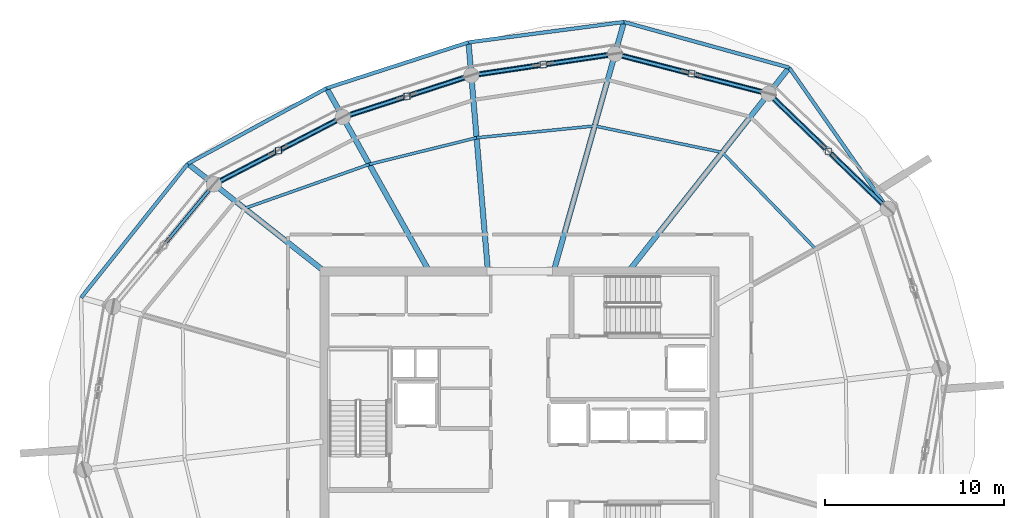
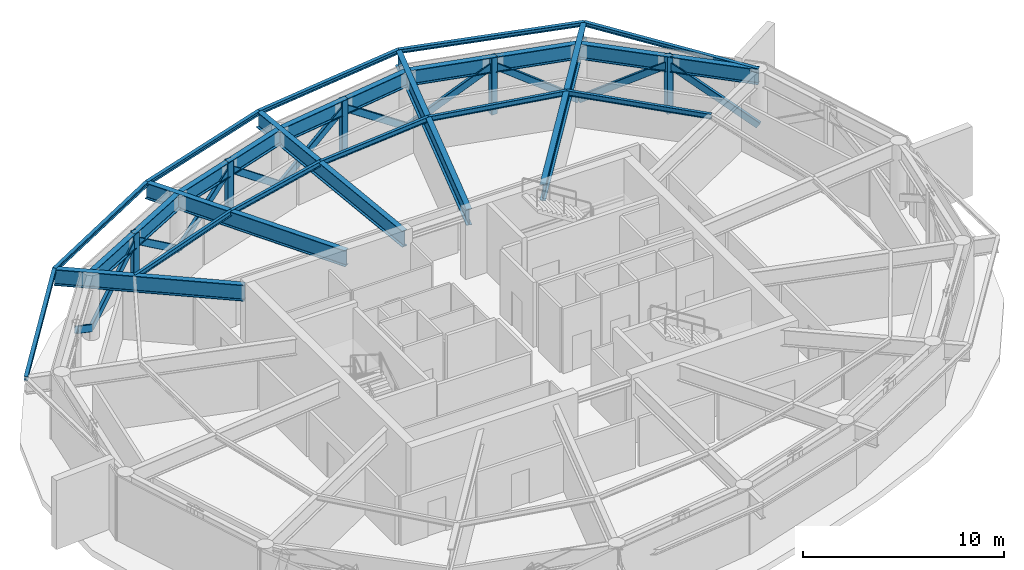
# One storey, part 7 of 14: 21 beams, 16 members.
"""IFC4 building model written with IfcOpenShell, lengths in metres."""

from ifc_helpers import new_model, si_unit, direction, frame, origin, origin_2d, place, context, subcontext, project, spatial, hollow_rectangle, i_section, extrude, material, material_profile, profile_set, type_object, element, save


model = new_model("IFC4")

# Units and contexts
model_context = context("Model", 3, precision=1e-05, world=origin(), true_north=direction((0.0, 1.0)))
body_context = subcontext(model_context, "Body", "Model", "MODEL_VIEW")
ifc_project = project(units=[si_unit("LENGTHUNIT", "METRE"), si_unit("AREAUNIT", "SQUARE_METRE"), si_unit("VOLUMEUNIT", "CUBIC_METRE"), si_unit("PLANEANGLEUNIT", "RADIAN"), si_unit("MASSUNIT", "GRAM", prefix="KILO")], contexts=[model_context])

# Site, building, storey
site_placement = place(None, origin())
site = spatial("IfcSite", under=ifc_project, at=site_placement, CompositionType="ELEMENT")
building_placement = place(site_placement, origin())
building = spatial("IfcBuilding", under=site, at=building_placement, Name="Kazma Halo Residences", CompositionType="ELEMENT")
storey_placement = place(building_placement, frame((0.0, 0.0, 343.10009765625)))
storey = spatial("IfcBuildingStorey", under=building, at=storey_placement, Name="L86", CompositionType="ELEMENT", Elevation=343.10009765625)

# Beams
ifc_material = material(Name="Steel S355", Category="steel")
ifc_material_profile_1 = material_profile(ifc_material, i_section(OverallWidth=0.201904296875, OverallDepth=0.2470703125, WebThickness=0.00732421875, FlangeThickness=0.010986328125, FilletRadius=0.011962890625, at=origin_2d()), Name="W250x49.1")
ifc_profile_set_1 = profile_set([ifc_material_profile_1], Name="Steel S355")
beam_type_1 = type_object("IfcBeamType", Name="BM-BAL-CANT", PredefinedType="BEAM", material=ifc_profile_set_1)
beam_1_placement = place(storey_placement, frame((68.96337890625, 53.739990234375, 3.81640625), z_axis=(-0.572873629847, 0.819643705659, 0.0), x_axis=(-0.819643705659, -0.572873629847, 0.0)))
element("IfcBeam", 1, at=beam_1_placement, inside=storey, type_object=beam_type_1, Name="L86 wave-balcony lead tie beam 01", PredefinedType="BEAM", context=body_context, shape_type="SweptSolid", body=[
    extrude(i_section(OverallWidth=0.201904296875, OverallDepth=0.2470703125, WebThickness=0.00732421875, FlangeThickness=0.010986328125, FilletRadius=0.011962890625, at=origin_2d()), origin(), (0.0, 0.0, 1.0), 9.6044921875),
])
beam_2_placement = place(storey_placement, frame((63.461181640625, 61.6123046875, 3.81640625), z_axis=(-0.96390336926, 0.266252314035, 0.0), x_axis=(-0.266252314035, -0.96390336926, 0.0)))
element("IfcBeam", 2, at=beam_2_placement, inside=storey, type_object=beam_type_1, Name="L86 wave-balcony tie beam 02", PredefinedType="BEAM", context=body_context, shape_type="SweptSolid", body=[
    extrude(i_section(OverallWidth=0.201904296875, OverallDepth=0.2470703125, WebThickness=0.00732421875, FlangeThickness=0.010986328125, FilletRadius=0.011962890625, at=origin_2d()), origin(), (0.0, 0.0, 1.0), 9.557373046875),
])
beam_3_placement = place(storey_placement, frame((54.248779296875, 64.156982421875, 3.81640625), z_axis=(-0.991560530144, -0.129644572045, 0.0), x_axis=(0.129644572045, -0.991560530144, 0.0)))
element("IfcBeam", 3, at=beam_3_placement, inside=storey, type_object=beam_type_1, Name="L86 wave-balcony tie beam 03", PredefinedType="BEAM", context=body_context, shape_type="SweptSolid", body=[
    extrude(i_section(OverallWidth=0.201904296875, OverallDepth=0.2470703125, WebThickness=0.00732421875, FlangeThickness=0.010986328125, FilletRadius=0.011962890625, at=origin_2d()), origin(), (0.0, 0.0, 1.0), 8.7490234375),
])
beam_4_placement = place(storey_placement, frame((45.573486328125, 63.022705078125, 3.81640625), z_axis=(-0.951537774791, -0.307531889641, 0.0), x_axis=(0.307531889641, -0.951537774791, 0.0)))
element("IfcBeam", 4, at=beam_4_placement, inside=storey, type_object=beam_type_1, Name="L86 wave-balcony tie beam 04", PredefinedType="BEAM", context=body_context, shape_type="SweptSolid", body=[
    extrude(i_section(OverallWidth=0.201904296875, OverallDepth=0.2470703125, WebThickness=0.00732421875, FlangeThickness=0.010986328125, FilletRadius=0.011962890625, at=origin_2d()), origin(), (0.0, 0.0, 1.0), 8.3173828125),
])
beam_5_placement = place(storey_placement, frame((37.6591796875, 60.46484375, 3.81640625), z_axis=(-0.878288155766, -0.478131692571, 0.0), x_axis=(0.478131692571, -0.878288155766, 0.0)))
element("IfcBeam", 5, at=beam_5_placement, inside=storey, type_object=beam_type_1, Name="L86 wave-balcony tie beam 05", PredefinedType="BEAM", context=body_context, shape_type="SweptSolid", body=[
    extrude(i_section(OverallWidth=0.201904296875, OverallDepth=0.2470703125, WebThickness=0.00732421875, FlangeThickness=0.010986328125, FilletRadius=0.011962890625, at=origin_2d()), origin(), (0.0, 0.0, 1.0), 8.810546875),
])
beam_6_placement = place(storey_placement, frame((29.9208984375, 56.252197265625, 3.81640625), z_axis=(-0.623310870646, -0.781974141858, 0.0), x_axis=(0.781974141858, -0.623310870646, 0.0)))
element("IfcBeam", 6, at=beam_6_placement, inside=storey, type_object=beam_type_1, Name="L86 wave-balcony tie beam 06", PredefinedType="BEAM", context=body_context, shape_type="SweptSolid", body=[
    extrude(i_section(OverallWidth=0.201904296875, OverallDepth=0.2470703125, WebThickness=0.00732421875, FlangeThickness=0.010986328125, FilletRadius=0.011962890625, at=origin_2d()), origin(), (0.0, 0.0, 1.0), 9.55712890625),
])
ifc_material_profile_2 = material_profile(ifc_material, i_section(OverallWidth=0.30908203125, OverallDepth=0.931884765625, WebThickness=0.02099609375, FlangeThickness=0.034423828125, FilletRadius=0.02392578125, at=origin_2d()), Name="W920x313")
ifc_profile_set_2 = profile_set([ifc_material_profile_2], Name="Steel S355")
beam_type_2 = type_object("IfcBeamType", Name="BM-BELT-W920A", PredefinedType="BEAM", material=ifc_profile_set_2)
beam_7_placement = place(storey_placement, frame((68.96337890625, 53.739990234375, 3.473876953125), z_axis=(-0.71933681628, 0.694661460529, 0.0), x_axis=(-0.694661460529, -0.71933681628, 0.0)))
element("IfcBeam", 7, at=beam_7_placement, inside=storey, type_object=beam_type_2, Name="L86 perimeter ring beam 01", PredefinedType="BEAM", context=body_context, shape_type="SweptSolid", body=[
    extrude(i_section(OverallWidth=0.30908203125, OverallDepth=0.931884765625, WebThickness=0.02099609375, FlangeThickness=0.034423828125, FilletRadius=0.02392578125, at=origin_2d()), origin(), (0.0, 0.0, 1.0), 9.2412109375),
])
beam_8_placement = place(storey_placement, frame((62.31591796875, 60.159423828125, 3.473876953125), z_axis=(-0.968124082793, 0.250471076805, 0.0), x_axis=(-0.250471076805, -0.968124082793, 0.0)))
element("IfcBeam", 8, at=beam_8_placement, inside=storey, type_object=beam_type_2, Name="L86 perimeter ring beam 02", PredefinedType="BEAM", context=body_context, shape_type="SweptSolid", body=[
    extrude(i_section(OverallWidth=0.30908203125, OverallDepth=0.931884765625, WebThickness=0.02099609375, FlangeThickness=0.034423828125, FilletRadius=0.02392578125, at=origin_2d()), origin(), (0.0, 0.0, 1.0), 8.8515625),
])
beam_9_placement = place(storey_placement, frame((53.74658203125, 62.37646484375, 3.473876953125), z_axis=(-0.989030710595, -0.147710031817, 0.0), x_axis=(0.147710031817, -0.989030710595, 0.0)))
element("IfcBeam", 9, at=beam_9_placement, inside=storey, type_object=beam_type_2, Name="L86 perimeter ring beam 03", PredefinedType="BEAM", context=body_context, shape_type="SweptSolid", body=[
    extrude(i_section(OverallWidth=0.30908203125, OverallDepth=0.931884765625, WebThickness=0.02099609375, FlangeThickness=0.034423828125, FilletRadius=0.02392578125, at=origin_2d()), origin(), (0.0, 0.0, 1.0), 8.10546875),
])
beam_10_placement = place(storey_placement, frame((45.72998046875, 61.17919921875, 3.473876953125), z_axis=(-0.951056684666, -0.309016476183, 0.0), x_axis=(0.309016476183, -0.951056684666, 0.0)))
element("IfcBeam", 10, at=beam_10_placement, inside=storey, type_object=beam_type_2, Name="L86 perimeter ring beam 04", PredefinedType="BEAM", context=body_context, shape_type="SweptSolid", body=[
    extrude(i_section(OverallWidth=0.30908203125, OverallDepth=0.931884765625, WebThickness=0.02099609375, FlangeThickness=0.034423828125, FilletRadius=0.02392578125, at=origin_2d()), origin(), (0.0, 0.0, 1.0), 7.53564453125),
])
beam_11_placement = place(storey_placement, frame((38.563232421875, 58.8505859375, 3.473876953125), z_axis=(-0.886957269655, -0.461851493238, 0.0), x_axis=(0.461851493238, -0.886957269655, 0.0)))
element("IfcBeam", 11, at=beam_11_placement, inside=storey, type_object=beam_type_2, Name="L86 perimeter ring beam 05", PredefinedType="BEAM", context=body_context, shape_type="SweptSolid", body=[
    extrude(i_section(OverallWidth=0.30908203125, OverallDepth=0.931884765625, WebThickness=0.02099609375, FlangeThickness=0.034423828125, FilletRadius=0.02392578125, at=origin_2d()), origin(), (0.0, 0.0, 1.0), 8.105712890625),
])
ifc_material_profile_3 = material_profile(ifc_material, i_section(OverallWidth=0.300048828125, OverallDepth=0.98193359375, WebThickness=0.0166015625, FlangeThickness=0.032958984375, FilletRadius=0.02587890625, at=origin_2d()), Name="W1000x296")
ifc_profile_set_3 = profile_set([ifc_material_profile_3], Name="Steel S355")
beam_type_3 = type_object("IfcBeamType", Name="BM-OUTR-W1000C", PredefinedType="BEAM", material=ifc_profile_set_3)
beam_12_placement = place(storey_placement, frame((54.58251953125, 50.35009765625, 3.448974609375), z_axis=(0.61910487104, 0.78530832076, 0.0), x_axis=(-0.78530832076, 0.61910487104, 0.0)))
element("IfcBeam", 12, at=beam_12_placement, inside=storey, type_object=beam_type_3, Name="L86 radial floor beam 02", PredefinedType="BEAM", context=body_context, shape_type="SweptSolid", body=[
    extrude(i_section(OverallWidth=0.300048828125, OverallDepth=0.98193359375, WebThickness=0.0166015625, FlangeThickness=0.032958984375, FilletRadius=0.02587890625, at=origin_2d()), origin(), (0.0, 0.0, 1.0), 14.341064453125),
])
beam_13_placement = place(storey_placement, frame((50.35498046875, 50.35009765625, 3.448974609375), z_axis=(0.271431061075, 0.962457884317, 0.0), x_axis=(-0.962457884317, 0.271431061075, 0.0)))
element("IfcBeam", 13, at=beam_13_placement, inside=storey, type_object=beam_type_3, Name="L86 radial floor beam 03", PredefinedType="BEAM", context=body_context, shape_type="SweptSolid", body=[
    extrude(i_section(OverallWidth=0.300048828125, OverallDepth=0.98193359375, WebThickness=0.0166015625, FlangeThickness=0.032958984375, FilletRadius=0.02587890625, at=origin_2d()), origin(), (0.0, 0.0, 1.0), 14.345458984375),
])
beam_14_placement = place(storey_placement, frame((46.64990234375, 50.35009765625, 3.448974609375), z_axis=(-0.084635605534, 0.996411970159, 0.0), x_axis=(-0.996411970159, -0.084635605534, 0.0)))
element("IfcBeam", 14, at=beam_14_placement, inside=storey, type_object=beam_type_3, Name="L86 radial floor beam 04", PredefinedType="BEAM", context=body_context, shape_type="SweptSolid", body=[
    extrude(i_section(OverallWidth=0.300048828125, OverallDepth=0.98193359375, WebThickness=0.0166015625, FlangeThickness=0.032958984375, FilletRadius=0.02587890625, at=origin_2d()), origin(), (0.0, 0.0, 1.0), 12.71826171875),
])
beam_15_placement = place(storey_placement, frame((43.32373046875, 50.35009765625, 3.448974609375), z_axis=(-0.488622607093, 0.872495242301, 0.0), x_axis=(-0.872495242301, -0.488622607093, 0.0)))
element("IfcBeam", 15, at=beam_15_placement, inside=storey, type_object=beam_type_3, Name="L86 radial floor beam 05", PredefinedType="BEAM", context=body_context, shape_type="SweptSolid", body=[
    extrude(i_section(OverallWidth=0.300048828125, OverallDepth=0.98193359375, WebThickness=0.0166015625, FlangeThickness=0.032958984375, FilletRadius=0.02587890625, at=origin_2d()), origin(), (0.0, 0.0, 1.0), 11.5927734375),
])
beam_16_placement = place(storey_placement, frame((37.449951171875, 50.31689453125, 3.448974609375), z_axis=(-0.78532321171, 0.619085982032, 0.0), x_axis=(-0.619085982032, -0.78532321171, 0.0)))
element("IfcBeam", 16, at=beam_16_placement, inside=storey, type_object=beam_type_3, Name="L86 radial floor beam 06", PredefinedType="BEAM", context=body_context, shape_type="SweptSolid", body=[
    extrude(i_section(OverallWidth=0.300048828125, OverallDepth=0.98193359375, WebThickness=0.0166015625, FlangeThickness=0.032958984375, FilletRadius=0.02587890625, at=origin_2d()), origin(), (0.0, 0.0, 1.0), 9.587158203125),
])
ifc_material_profile_4 = material_profile(ifc_material, i_section(OverallWidth=0.1650390625, OverallDepth=0.31005859375, WebThickness=0.005859375, FlangeThickness=0.009765625, FilletRadius=0.011962890625, at=origin_2d()), Name="W310x38.7")
ifc_profile_set_4 = profile_set([ifc_material_profile_4], Name="Steel S355")
beam_type_4 = type_object("IfcBeamType", Name="BM-SEC-W310B", PredefinedType="JOIST", material=ifc_profile_set_4)
beam_17_placement = place(storey_placement, frame((64.94677734375, 51.490478515625, 3.784912109375), z_axis=(-0.695209401678, 0.718807267506, 0.0), x_axis=(-0.718807267506, -0.695209401678, 0.0)))
element("IfcBeam", 17, at=beam_17_placement, inside=storey, type_object=beam_type_4, Name="L86 circumferential floor joist 01", PredefinedType="JOIST", context=body_context, shape_type="SweptSolid", body=[
    extrude(i_section(OverallWidth=0.1650390625, OverallDepth=0.31005859375, WebThickness=0.005859375, FlangeThickness=0.009765625, FilletRadius=0.011962890625, at=origin_2d()), origin(), (0.0, 0.0, 1.0), 7.500732421875),
])
beam_18_placement = place(storey_placement, frame((59.732177734375, 56.882080078125, 3.784912109375), z_axis=(-0.979179702308, 0.202995346221, 0.0), x_axis=(-0.202995346221, -0.979179702308, 0.0)))
element("IfcBeam", 18, at=beam_18_placement, inside=storey, type_object=beam_type_4, Name="L86 circumferential floor joist 02", PredefinedType="JOIST", context=body_context, shape_type="SweptSolid", body=[
    extrude(i_section(OverallWidth=0.1650390625, OverallDepth=0.31005859375, WebThickness=0.005859375, FlangeThickness=0.009765625, FilletRadius=0.011962890625, at=origin_2d()), origin(), (0.0, 0.0, 1.0), 7.270263671875),
])
beam_19_placement = place(storey_placement, frame((52.61328125, 58.35791015625, 3.784912109375), z_axis=(-0.995052877945, -0.099346716569, 0.0), x_axis=(0.099346716569, -0.995052877945, 0.0)))
element("IfcBeam", 19, at=beam_19_placement, inside=storey, type_object=beam_type_4, Name="L86 circumferential floor joist 03", PredefinedType="JOIST", context=body_context, shape_type="SweptSolid", body=[
    extrude(i_section(OverallWidth=0.1650390625, OverallDepth=0.31005859375, WebThickness=0.005859375, FlangeThickness=0.009765625, FilletRadius=0.011962890625, at=origin_2d()), origin(), (0.0, 0.0, 1.0), 6.620361328125),
])
beam_20_placement = place(storey_placement, frame((46.025634765625, 57.7001953125, 3.784912109375), z_axis=(-0.970643304903, -0.240523542811, 0.0), x_axis=(0.240523542811, -0.970643304903, 0.0)))
element("IfcBeam", 20, at=beam_20_placement, inside=storey, type_object=beam_type_4, Name="L86 circumferential floor joist 04", PredefinedType="JOIST", context=body_context, shape_type="SweptSolid", body=[
    extrude(i_section(OverallWidth=0.1650390625, OverallDepth=0.31005859375, WebThickness=0.005859375, FlangeThickness=0.009765625, FilletRadius=0.011962890625, at=origin_2d()), origin(), (0.0, 0.0, 1.0), 6.16845703125),
])
beam_21_placement = place(storey_placement, frame((40.038330078125, 56.216552734375, 3.784912109375), z_axis=(-0.94289252684, -0.333097107207, 0.0), x_axis=(0.333097107207, -0.94289252684, 0.0)))
element("IfcBeam", 21, at=beam_21_placement, inside=storey, type_object=beam_type_4, Name="L86 circumferential floor joist 05", PredefinedType="JOIST", context=body_context, shape_type="SweptSolid", body=[
    extrude(i_section(OverallWidth=0.1650390625, OverallDepth=0.31005859375, WebThickness=0.005859375, FlangeThickness=0.009765625, FilletRadius=0.011962890625, at=origin_2d()), origin(), (0.0, 0.0, 1.0), 7.376220703125),
])

# Members
ifc_material_profile_5 = material_profile(ifc_material, hollow_rectangle(XDim=0.199951171875, YDim=0.39990234375, WallThickness=0.01611328125, InnerFilletRadius=0.01611328125, OuterFilletRadius=0.031982421875, at=origin_2d()), Name="RHS400x200x16")
ifc_profile_set_5 = profile_set([ifc_material_profile_5], Name="Steel S355")
member_type_1 = type_object("IfcMemberType", Name="MBR-BELT-RHS400", PredefinedType="BRACE", material=ifc_profile_set_5)
member_1_placement = place(storey_placement, frame((68.96337890625, 53.739990234375, 0.47998046875), z_axis=(-0.60692916794, 0.586066674323, 0.536808008838), x_axis=(-0.69463505814, -0.719362312054, 0.0)))
element("IfcMember", 22, at=member_1_placement, inside=storey, type_object=member_type_1, Name="L86 belt-truss chevron diagonal 01A", PredefinedType="BRACE", context=body_context, shape_type="SweptSolid", body=[
    extrude(hollow_rectangle(XDim=0.199951171875, YDim=0.39990234375, WallThickness=0.01611328125, InnerFilletRadius=0.01611328125, OuterFilletRadius=0.031982421875, at=origin_2d()), origin(), (0.0, 0.0, 1.0), 5.476806640625),
])
member_2_placement = place(storey_placement, frame((62.31591796875, 60.159423828125, 0.47998046875), z_axis=(0.60687284917, -0.586098387426, 0.536837056468), x_axis=(0.694687863989, 0.719311317599, 0.0)))
element("IfcMember", 23, at=member_2_placement, inside=storey, type_object=member_type_1, Name="L86 belt-truss chevron diagonal 01B", PredefinedType="BRACE", context=body_context, shape_type="SweptSolid", body=[
    extrude(hollow_rectangle(XDim=0.199951171875, YDim=0.39990234375, WallThickness=0.01611328125, InnerFilletRadius=0.01611328125, OuterFilletRadius=0.031982421875, at=origin_2d()), origin(), (0.0, 0.0, 1.0), 5.476318359375),
])
for number, where, z_axis, x_axis, name in (
    (24, (62.31591796875, 60.159423828125, 0.47998046875), (-0.806418221757, 0.208611893264, 0.553326964467), (-0.250445225025, -0.968130770745, 0.0), "L86 belt-truss chevron diagonal 02A"),
    (25, (53.74658203125, 62.37646484375, 0.47998046875), (0.806410490962, -0.208655842704, 0.553321659952), (0.250496928049, 0.968117394244, 0.0), "L86 belt-truss chevron diagonal 02B"),
):
    element("IfcMember", number, at=place(storey_placement, frame(where, z_axis=z_axis, x_axis=x_axis)), inside=storey, type_object=member_type_1, Name=name, PredefinedType="BRACE", context=body_context, shape_type="SweptSolid", body=[
        extrude(hollow_rectangle(XDim=0.199951171875, YDim=0.39990234375, WallThickness=0.01611328125, InnerFilletRadius=0.01611328125, OuterFilletRadius=0.031982421875, at=origin_2d()), origin(), (0.0, 0.0, 1.0), 5.313232421875),
    ])
for number, where, z_axis, x_axis, name in (
    (26, (53.74658203125, 62.37646484375, 0.47998046875), (-0.800570650567, -0.119563846704, 0.587189168847), (0.147710031817, -0.989030710595, 0.0), "L86 belt-truss chevron diagonal 03A"),
    (27, (45.72998046875, 61.17919921875, 0.47998046875), (0.800570650567, 0.119563846704, 0.587189168847), (-0.147710031817, 0.989030710595, 0.0), "L86 belt-truss chevron diagonal 03B"),
):
    element("IfcMember", number, at=place(storey_placement, frame(where, z_axis=z_axis, x_axis=x_axis)), inside=storey, type_object=member_type_1, Name=name, PredefinedType="BRACE", context=body_context, shape_type="SweptSolid", body=[
        extrude(hollow_rectangle(XDim=0.199951171875, YDim=0.39990234375, WallThickness=0.01611328125, InnerFilletRadius=0.01611328125, OuterFilletRadius=0.031982421875, at=origin_2d()), origin(), (0.0, 0.0, 1.0), 5.0068359375),
    ])
for number, where, z_axis, x_axis, name in (
    (28, (45.72998046875, 61.17919921875, 0.47998046875), (-0.749818137427, -0.243621930603, 0.615159423007), (0.309006954807, -0.95105977829, 0.0), "L86 belt-truss chevron diagonal 04A"),
    (29, (38.563232421875, 58.8505859375, 0.47998046875), (0.749795772744, 0.243631262534, 0.615182986672), (-0.309025998114, 0.951053590756, 0.0), "L86 belt-truss chevron diagonal 04B"),
):
    element("IfcMember", number, at=place(storey_placement, frame(where, z_axis=z_axis, x_axis=x_axis)), inside=storey, type_object=member_type_1, Name=name, PredefinedType="BRACE", context=body_context, shape_type="SweptSolid", body=[
        extrude(hollow_rectangle(XDim=0.199951171875, YDim=0.39990234375, WallThickness=0.01611328125, InnerFilletRadius=0.01611328125, OuterFilletRadius=0.031982421875, at=origin_2d()), origin(), (0.0, 0.0, 1.0), 4.779052734375),
    ])
member_3_placement = place(storey_placement, frame((38.563232421875, 58.8505859375, 0.47998046875), z_axis=(-0.717967620495, -0.373807374268, 0.587188677398), x_axis=(0.461804101744, -0.886981945483, 0.0)))
element("IfcMember", 30, at=member_3_placement, inside=storey, type_object=member_type_1, Name="L86 belt-truss chevron diagonal 05A", PredefinedType="BRACE", context=body_context, shape_type="SweptSolid", body=[
    extrude(hollow_rectangle(XDim=0.199951171875, YDim=0.39990234375, WallThickness=0.01611328125, InnerFilletRadius=0.01611328125, OuterFilletRadius=0.031982421875, at=origin_2d()), origin(), (0.0, 0.0, 1.0), 5.0068359375),
])
member_4_placement = place(storey_placement, frame((31.373779296875, 55.10693359375, 0.47998046875), z_axis=(0.717941445014, 0.373891265985, 0.587167269822), x_axis=(-0.461898880778, 0.886932592668, 0.0)))
element("IfcMember", 31, at=member_4_placement, inside=storey, type_object=member_type_1, Name="L86 belt-truss chevron diagonal 05B", PredefinedType="BRACE", context=body_context, shape_type="SweptSolid", body=[
    extrude(hollow_rectangle(XDim=0.199951171875, YDim=0.39990234375, WallThickness=0.01611328125, InnerFilletRadius=0.01611328125, OuterFilletRadius=0.031982421875, at=origin_2d()), origin(), (0.0, 0.0, 1.0), 5.007080078125),
])
member_5_placement = place(storey_placement, frame((31.373779296875, 55.10693359375, 0.47998046875), z_axis=(-0.529772700969, -0.642766982493, 0.553345725134), x_axis=(0.771673789204, -0.636018524145, 0.0)))
element("IfcMember", 32, at=member_5_placement, inside=storey, type_object=member_type_1, Name="L86 belt-truss chevron diagonal 06A", PredefinedType="BRACE", context=body_context, shape_type="SweptSolid", body=[
    extrude(hollow_rectangle(XDim=0.199951171875, YDim=0.39990234375, WallThickness=0.01611328125, InnerFilletRadius=0.01611328125, OuterFilletRadius=0.031982421875, at=origin_2d()), origin(), (0.0, 0.0, 1.0), 5.31298828125),
])
ifc_material_profile_6 = material_profile(ifc_material, hollow_rectangle(XDim=0.35009765625, YDim=0.35009765625, WallThickness=0.01611328125, InnerFilletRadius=0.01611328125, OuterFilletRadius=0.031982421875, at=origin_2d()), Name="SHS350x350x16")
ifc_profile_set_6 = profile_set([ifc_material_profile_6], Name="Steel S355")
member_type_2 = type_object("IfcMemberType", Name="MBR-POST-SHS350", PredefinedType="STRUT", material=ifc_profile_set_6)
for number, where, z_axis, x_axis, name in (
    (33, (65.639404296875, 56.94970703125, 0.47998046875), (0.0, 0.0, 1.0), (1.0, 0.0, 0.0), "L86 belt-truss web post 01"),
    (34, (58.03125, 61.267822265625, 0.47998046875), (0.0, 0.0, 1.0), (1.0, 0.0, 0.0), "L86 belt-truss web post 02"),
    (35, (49.73828125, 61.77783203125, 0.47998046875), (0.0, 0.0, 1.0), (1.0, 0.0, 0.0), "L86 belt-truss web post 03"),
    (36, (42.146484375, 60.014892578125, 0.47998046875), (0.0, 0.0, 1.0), (1.0, 0.0, 0.0), "L86 belt-truss web post 04"),
    (37, (34.968505859375, 56.97900390625, 0.47998046875), (0.0, 0.0, 1.0), (1.0, 0.0, 0.0), "L86 belt-truss web post 05"),
):
    element("IfcMember", number, at=place(storey_placement, frame(where, z_axis=z_axis, x_axis=x_axis)), inside=storey, type_object=member_type_2, Name=name, PredefinedType="STRUT", context=body_context, shape_type="SweptSolid", body=[
        extrude(hollow_rectangle(XDim=0.35009765625, YDim=0.35009765625, WallThickness=0.01611328125, InnerFilletRadius=0.01611328125, OuterFilletRadius=0.031982421875, at=origin_2d()), origin(), (0.0, 0.0, 1.0), 3.4599609375),
    ])

save(model, "model.ifc")
